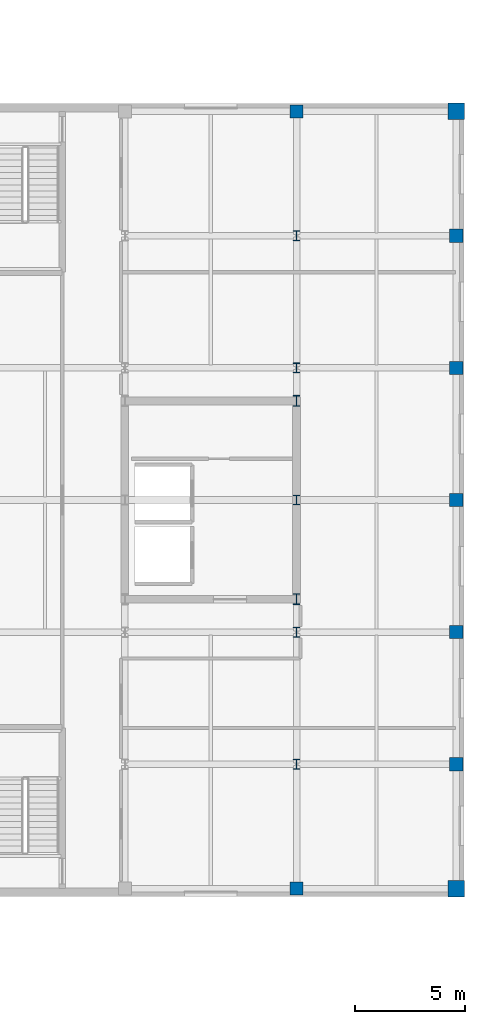
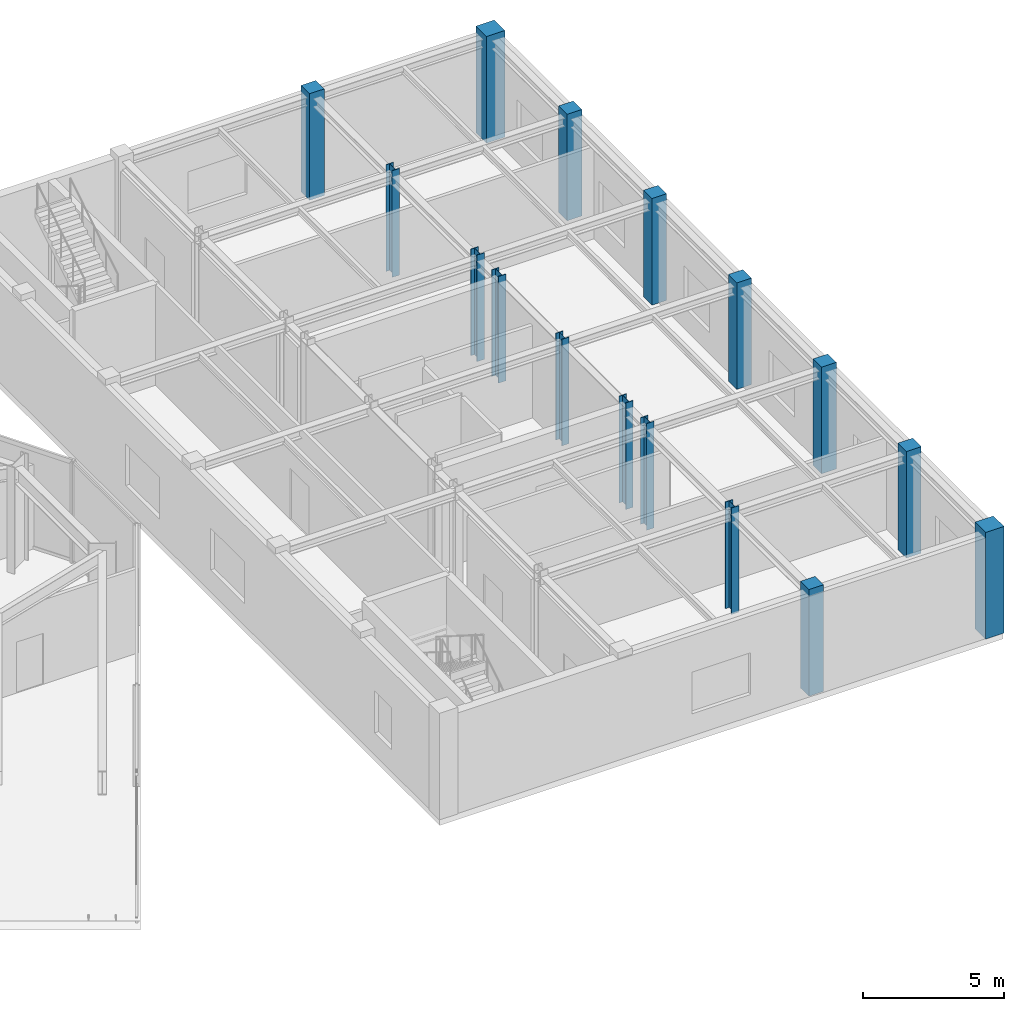
# One storey, part 4 of 22: 16 columns.
"""IFC4 building model written with IfcOpenShell, lengths in metres."""

from ifc_helpers import new_model, si_unit, direction, frame, origin, origin_2d, place, context, subcontext, project, spatial, rectangle, i_section, extrude, material, material_profile, profile_set, type_object, element, save


model = new_model("IFC4")

# Units and contexts
model_context = context("Model", 3, precision=1e-05, world=origin(), true_north=direction((0.0, 1.0)))
body_context = subcontext(model_context, "Body", "Model", "MODEL_VIEW")
ifc_project = project(units=[si_unit("LENGTHUNIT", "METRE"), si_unit("AREAUNIT", "SQUARE_METRE"), si_unit("VOLUMEUNIT", "CUBIC_METRE"), si_unit("PLANEANGLEUNIT", "RADIAN"), si_unit("MASSUNIT", "GRAM", prefix="KILO")], contexts=[model_context])

# Site, building, storey
site_placement = place(None, origin())
site = spatial("IfcSite", under=ifc_project, at=site_placement, CompositionType="ELEMENT")
building_placement = place(site_placement, origin())
building = spatial("IfcBuilding", under=site, at=building_placement, Name="Kranzbogen Civic Tower", CompositionType="ELEMENT")
storey_placement = place(building_placement, frame((0.0, 0.0, 5.199951171875)))
storey = spatial("IfcBuildingStorey", under=building, at=storey_placement, Name="L01", CompositionType="ELEMENT", Elevation=5.199951171875)

# Columns
ifc_material_1 = material(Name="Steel S355", Category="steel")
ifc_material_profile_1 = material_profile(ifc_material_1, i_section(OverallWidth=0.300048828125, OverallDepth=0.449951171875, WebThickness=0.013916015625, FlangeThickness=0.02587890625, at=origin_2d()), Name="HEB 450")
ifc_profile_set_1 = profile_set([ifc_material_profile_1], Name="Steel S355")
column_type_1 = type_object("IfcColumnType", Name="Structural Column HEB 450", PredefinedType="COLUMN", material=ifc_profile_set_1)
for number, where, z_axis, x_axis, name in (
    (1, (67.39990234375, 13.0, 0.0), (0.0, 0.0, 1.0), (1.0, 0.0, 0.0), "L01 Health Centre column 12/C"),
    (2, (67.39990234375, 19.0, 0.0), (0.0, 0.0, 1.0), (1.0, 0.0, 0.0), "L01 Health Centre column 12/D"),
    (3, (67.39990234375, 25.0, 0.0), (0.0, 0.0, 1.0), (1.0, 0.0, 0.0), "L01 Health Centre column 12/E"),
    (4, (67.39990234375, 31.0, 0.0), (0.0, 0.0, 1.0), (1.0, 0.0, 0.0), "L01 Health Centre column 12/F"),
    (5, (67.39990234375, 37.0, 0.0), (0.0, 0.0, 1.0), (1.0, 0.0, 0.0), "L01 Health Centre column 12/G"),
):
    element("IfcColumn", number, at=place(storey_placement, frame(where, z_axis=z_axis, x_axis=x_axis)), inside=storey, type_object=column_type_1, Name=name, PredefinedType="COLUMN", context=body_context, shape_type="SweptSolid", body=[
        extrude(i_section(OverallWidth=0.300048828125, OverallDepth=0.449951171875, WebThickness=0.013916015625, FlangeThickness=0.02587890625, at=origin_2d()), origin(), (0.0, 0.0, 1.0), 4.60009765625),
    ])
ifc_material_profile_2 = material_profile(ifc_material_1, i_section(OverallWidth=0.300048828125, OverallDepth=0.5, WebThickness=0.014404296875, FlangeThickness=0.028076171875, at=origin_2d()), Name="HEB 500")
ifc_profile_set_2 = profile_set([ifc_material_profile_2], Name="Steel S355")
column_type_2 = type_object("IfcColumnType", Name="Structural Column HEB 500", PredefinedType="COLUMN", material=ifc_profile_set_2)
for number, where, z_axis, x_axis, name in (
    (6, (67.39990234375, 20.5, 0.0), (0.0, 0.0, 1.0), (1.0, 0.0, 0.0), "L01 Health Centre core corner column 2"),
    (7, (67.39990234375, 29.5, 0.0), (0.0, 0.0, 1.0), (1.0, 0.0, 0.0), "L01 Health Centre core corner column 3"),
):
    element("IfcColumn", number, at=place(storey_placement, frame(where, z_axis=z_axis, x_axis=x_axis)), inside=storey, type_object=column_type_2, Name=name, PredefinedType="COLUMN", context=body_context, shape_type="SweptSolid", body=[
        extrude(i_section(OverallWidth=0.300048828125, OverallDepth=0.5, WebThickness=0.014404296875, FlangeThickness=0.028076171875, at=origin_2d()), origin(), (0.0, 0.0, 1.0), 4.60009765625),
    ])
ifc_material_2 = material(Name="Concrete C40/50", Category="concrete")
ifc_material_profile_3 = material_profile(ifc_material_2, rectangle(XDim=0.60009765625, YDim=0.60009765625, at=origin_2d()), Name="RC 600x600")
ifc_profile_set_3 = profile_set([ifc_material_profile_3], Name="Concrete C40/50")
column_type_3 = type_object("IfcColumnType", Name="Structural Column RC 600x600", PredefinedType="COLUMN", material=ifc_profile_set_3)
for number, where, z_axis, x_axis, name in (
    (8, (67.39990234375, 7.35009765625, 0.0), (0.0, 0.0, 1.0), (1.0, 0.0, 0.0), "L01 Health Centre column 12/B"),
    (9, (67.39990234375, 42.64990234375, 0.0), (0.0, 0.0, 1.0), (1.0, 0.0, 0.0), "L01 Health Centre column 12/H"),
    (10, (74.64990234375, 13.0, 0.0), (0.0, 0.0, 1.0), (1.0, 0.0, 0.0), "L01 Health Centre column 13/C"),
    (11, (74.64990234375, 19.0, 0.0), (0.0, 0.0, 1.0), (1.0, 0.0, 0.0), "L01 Health Centre column 13/D"),
    (12, (74.64990234375, 25.0, 0.0), (0.0, 0.0, 1.0), (1.0, 0.0, 0.0), "L01 Health Centre column 13/E"),
    (13, (74.64990234375, 31.0, 0.0), (0.0, 0.0, 1.0), (1.0, 0.0, 0.0), "L01 Health Centre column 13/F"),
    (14, (74.64990234375, 37.0, 0.0), (0.0, 0.0, 1.0), (1.0, 0.0, 0.0), "L01 Health Centre column 13/G"),
):
    element("IfcColumn", number, at=place(storey_placement, frame(where, z_axis=z_axis, x_axis=x_axis)), inside=storey, type_object=column_type_3, Name=name, PredefinedType="COLUMN", context=body_context, shape_type="SweptSolid", body=[
        extrude(rectangle(XDim=0.60009765625, YDim=0.60009765625, at=origin_2d()), origin(), (0.0, 0.0, 1.0), 4.60009765625),
    ])
ifc_material_profile_4 = material_profile(ifc_material_2, rectangle(XDim=0.75, YDim=0.75, at=origin_2d()), Name="RC 750x750")
ifc_profile_set_4 = profile_set([ifc_material_profile_4], Name="Concrete C40/50")
column_type_4 = type_object("IfcColumnType", Name="Structural Column RC 750x750", PredefinedType="COLUMN", material=ifc_profile_set_4)
for number, where, z_axis, x_axis, name in (
    (15, (74.64990234375, 7.35009765625, 0.0), (0.0, 0.0, 1.0), (1.0, 0.0, 0.0), "L01 Health Centre column 13/B"),
    (16, (74.64990234375, 42.64990234375, 0.0), (0.0, 0.0, 1.0), (1.0, 0.0, 0.0), "L01 Health Centre column 13/H"),
):
    element("IfcColumn", number, at=place(storey_placement, frame(where, z_axis=z_axis, x_axis=x_axis)), inside=storey, type_object=column_type_4, Name=name, PredefinedType="COLUMN", context=body_context, shape_type="SweptSolid", body=[
        extrude(rectangle(XDim=0.75, YDim=0.75, at=origin_2d()), origin(), (0.0, 0.0, 1.0), 4.60009765625),
    ])

save(model, "model.ifc")
